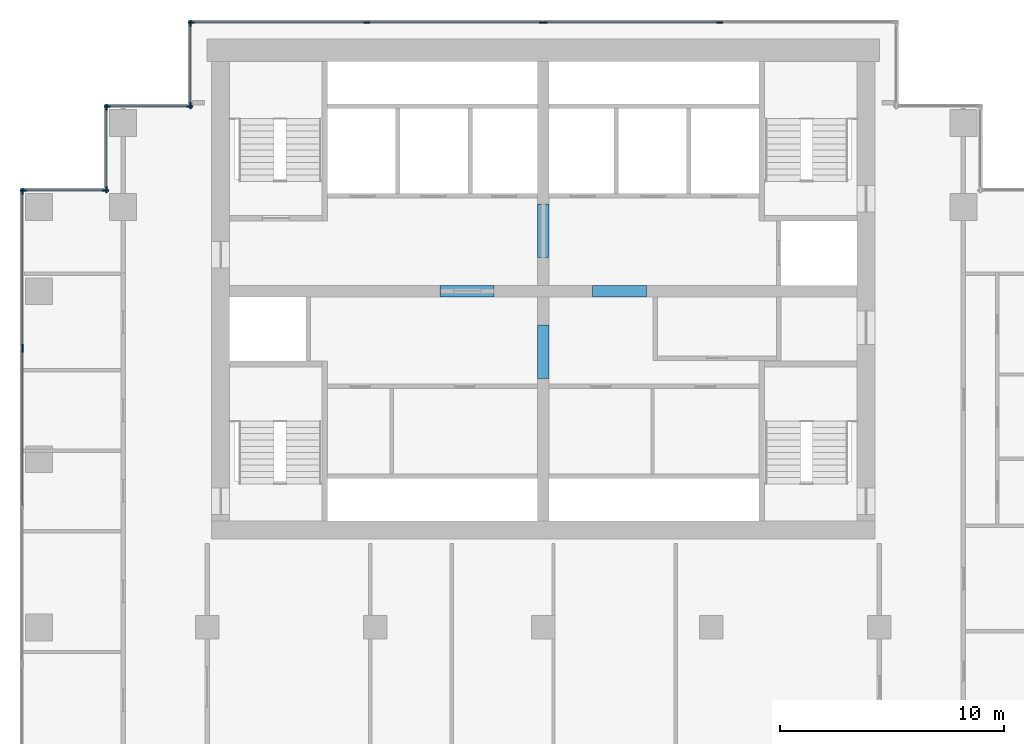
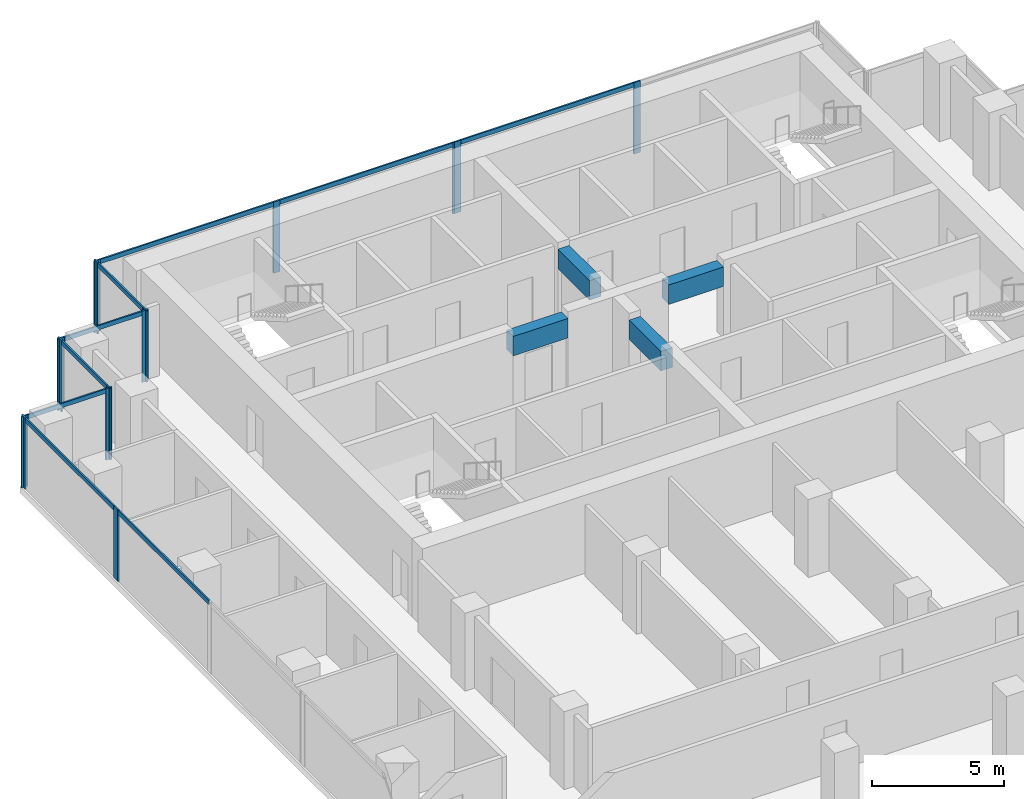
# One storey, part 4 of 10: 25 members, 4 beams, 8 elements without a shape of their own.
"""IFC4 building model written with IfcOpenShell, lengths in metres."""

from ifc_helpers import new_model, si_unit, direction, frame, origin, origin_2d, place, context, subcontext, project, spatial, rectangle, extrude, material, material_profile, profile_set, type_object, element, aggregate, save


model = new_model("IFC4")

# Units and contexts
model_context = context("Model", 3, precision=1e-05, world=origin(), true_north=direction((0.0, 1.0)))
body_context = subcontext(model_context, "Body", "Model", "MODEL_VIEW")
ifc_project = project(units=[si_unit("LENGTHUNIT", "METRE"), si_unit("AREAUNIT", "SQUARE_METRE"), si_unit("VOLUMEUNIT", "CUBIC_METRE"), si_unit("PLANEANGLEUNIT", "RADIAN"), si_unit("MASSUNIT", "GRAM", prefix="KILO")], contexts=[model_context])

# Site, building, storey
site_placement = place(None, origin())
site = spatial("IfcSite", under=ifc_project, at=site_placement, CompositionType="ELEMENT")
building_placement = place(site_placement, origin())
building = spatial("IfcBuilding", under=site, at=building_placement, Name="Pilkhan Gate Tower", CompositionType="ELEMENT")
storey_placement = place(building_placement, frame((0.0, 0.0, 176.5)))
storey = spatial("IfcBuildingStorey", under=building, at=storey_placement, Name="L45", CompositionType="ELEMENT", Elevation=176.5)

# Beams
ifc_material_1 = material(Name="Concrete C60/75", Category="concrete")
ifc_material_profile_1 = material_profile(ifc_material_1, rectangle(XDim=0.5, YDim=0.89990234375, at=origin_2d()), Name="RC 500x900")
ifc_profile_set_1 = profile_set([ifc_material_profile_1], Name="Concrete C60/75")
beam_type = type_object("IfcBeamType", Name="Coupling beam CB90 RC 500x900 C60/75", PredefinedType="LINTEL", material=ifc_profile_set_1)
for number, where, z_axis, x_axis, name in (
    (1, (70.39990234375, 82.5, 2.85009765625), (1.0, 0.0, 0.0), (0.0, 1.0, 0.0), "Coupling beam 1 L45"),
    (2, (77.199951171875, 82.5, 2.85009765625), (1.0, 0.0, 0.0), (0.0, 1.0, 0.0), "Coupling beam 2 L45"),
):
    element("IfcBeam", number, at=place(storey_placement, frame(where, z_axis=z_axis, x_axis=x_axis)), inside=storey, type_object=beam_type, Name=name, PredefinedType="LINTEL", context=body_context, shape_type="SweptSolid", body=[
        extrude(rectangle(XDim=0.5, YDim=0.89990234375, at=origin_2d()), origin(), (0.0, 0.0, 1.0), 2.400146484375),
    ])
for number, where, z_axis, x_axis, name in (
    (3, (75.0, 78.60009765625, 2.85009765625), (0.0, 1.0, 0.0), (-1.0, 0.0, 0.0), "Coupling beam 3 L45"),
    (4, (75.0, 84.0, 2.85009765625), (0.0, 1.0, 0.0), (-1.0, 0.0, 0.0), "Coupling beam 4 L45"),
):
    element("IfcBeam", number, at=place(storey_placement, frame(where, z_axis=z_axis, x_axis=x_axis)), inside=storey, type_object=beam_type, Name=name, PredefinedType="LINTEL", context=body_context, shape_type="SweptSolid", body=[
        extrude(rectangle(XDim=0.5, YDim=0.89990234375, at=origin_2d()), origin(), (0.0, 0.0, 1.0), 2.39990234375),
    ])

# Curtain wall, members
ifc_material_2 = material(Name="Pale anodised aluminium, clear low-iron double glazing", Category="aluminium")
curtain_wall_type = type_object("IfcCurtainWallType", Name="Office unitised curtain wall CW-O1", PredefinedType="USERDEFINED", material=ifc_material_2)
curtain_wall_1_placement = place(storey_placement, origin())
curtain_wall_1 = element("IfcCurtainWall", 5, at=curtain_wall_1_placement, inside=storey, type_object=curtain_wall_type, Name="Office unitised curtain wall CW-O1 L45 N", ObjectType="UNITISED CURTAIN WALL", PredefinedType="USERDEFINED")
ifc_material_3 = material(Name="Pale anodised aluminium", Category="aluminium")
ifc_material_profile_2 = material_profile(ifc_material_3, rectangle(XDim=0.070068359375, YDim=0.27490234375, at=origin_2d()), Name="Mullion 275x70")
ifc_profile_set_2 = profile_set([ifc_material_profile_2], Name="Pale anodised aluminium")
member_type_1 = type_object("IfcMemberType", Name="Mullion CW-O1 275x70", PredefinedType="MULLION", material=ifc_profile_set_2)
member_1_placement = place(storey_placement, frame((59.284912109375, 94.5, 0.0), z_axis=(0.0, 0.0, 1.0), x_axis=(0.0, 1.0, 0.0)))
member_1 = element("IfcMember", 6, at=member_1_placement, type_object=member_type_1, Name="CW-O1 mullion 1", PredefinedType="MULLION", context=body_context, shape_type="SweptSolid", body=[
    extrude(rectangle(XDim=0.070068359375, YDim=0.27490234375, at=origin_2d()), origin(), (0.0, 0.0, 1.0), 3.300048828125),
])
member_2_placement = place(storey_placement, frame((67.125, 94.5, 0.0), z_axis=(0.0, 0.0, 1.0), x_axis=(0.0, 1.0, 0.0)))
member_2 = element("IfcMember", 7, at=member_2_placement, type_object=member_type_1, Name="CW-O1 mullion 2", PredefinedType="MULLION", context=body_context, shape_type="SweptSolid", body=[
    extrude(rectangle(XDim=0.070068359375, YDim=0.27490234375, at=origin_2d()), origin(), (0.0, 0.0, 1.0), 3.300048828125),
])
member_3_placement = place(storey_placement, frame((74.965087890625, 94.5, 0.0), z_axis=(0.0, 0.0, 1.0), x_axis=(0.0, 1.0, 0.0)))
member_3 = element("IfcMember", 8, at=member_3_placement, type_object=member_type_1, Name="CW-O1 mullion 3", PredefinedType="MULLION", context=body_context, shape_type="SweptSolid", body=[
    extrude(rectangle(XDim=0.070068359375, YDim=0.27490234375, at=origin_2d()), origin(), (0.0, 0.0, 1.0), 3.300048828125),
])

curtain_wall_2_placement = place(storey_placement, origin())
curtain_wall_2 = element("IfcCurtainWall", 9, at=curtain_wall_2_placement, inside=storey, type_object=curtain_wall_type, Name="Office unitised curtain wall CW-O1 L45 N", ObjectType="UNITISED CURTAIN WALL", PredefinedType="USERDEFINED")
member_4_placement = place(storey_placement, frame((75.034912109375, 94.5, 0.0), z_axis=(0.0, 0.0, 1.0), x_axis=(0.0, 1.0, 0.0)))
member_4 = element("IfcMember", 10, at=member_4_placement, type_object=member_type_1, Name="CW-O1 mullion 1", PredefinedType="MULLION", context=body_context, shape_type="SweptSolid", body=[
    extrude(rectangle(XDim=0.070068359375, YDim=0.27490234375, at=origin_2d()), origin(), (0.0, 0.0, 1.0), 3.300048828125),
])
member_5_placement = place(storey_placement, frame((82.875, 94.5, 0.0), z_axis=(0.0, 0.0, 1.0), x_axis=(0.0, 1.0, 0.0)))
member_5 = element("IfcMember", 11, at=member_5_placement, type_object=member_type_1, Name="CW-O1 mullion 2", PredefinedType="MULLION", context=body_context, shape_type="SweptSolid", body=[
    extrude(rectangle(XDim=0.070068359375, YDim=0.27490234375, at=origin_2d()), origin(), (0.0, 0.0, 1.0), 3.300048828125),
])

curtain_wall_3_placement = place(storey_placement, origin())
curtain_wall_3 = element("IfcCurtainWall", 12, at=curtain_wall_3_placement, inside=storey, type_object=curtain_wall_type, Name="Office unitised curtain wall CW-O1 L45 W", ObjectType="UNITISED CURTAIN WALL", PredefinedType="USERDEFINED")
member_6_placement = place(storey_placement, frame((59.25, 90.784912109375, 0.0), z_axis=(0.0, 0.0, 1.0), x_axis=(-1.0, 0.0, 0.0)))
member_6 = element("IfcMember", 13, at=member_6_placement, type_object=member_type_1, Name="CW-O1 mullion 1", PredefinedType="MULLION", context=body_context, shape_type="SweptSolid", body=[
    extrude(rectangle(XDim=0.070068359375, YDim=0.27490234375, at=origin_2d()), origin(), (0.0, 0.0, 1.0), 3.300048828125),
])
member_7_placement = place(storey_placement, frame((59.25, 94.465087890625, 0.0), z_axis=(0.0, 0.0, 1.0), x_axis=(-1.0, 0.0, 0.0)))
member_7 = element("IfcMember", 14, at=member_7_placement, type_object=member_type_1, Name="CW-O1 mullion 2", PredefinedType="MULLION", context=body_context, shape_type="SweptSolid", body=[
    extrude(rectangle(XDim=0.070068359375, YDim=0.27490234375, at=origin_2d()), origin(), (0.0, 0.0, 1.0), 3.300048828125),
])

curtain_wall_4_placement = place(storey_placement, origin())
curtain_wall_4 = element("IfcCurtainWall", 15, at=curtain_wall_4_placement, inside=storey, type_object=curtain_wall_type, Name="Office unitised curtain wall CW-O1 L45 N", ObjectType="UNITISED CURTAIN WALL", PredefinedType="USERDEFINED")
member_8_placement = place(storey_placement, frame((55.534912109375, 90.75, 0.0), z_axis=(0.0, 0.0, 1.0), x_axis=(0.0, 1.0, 0.0)))
member_8 = element("IfcMember", 16, at=member_8_placement, type_object=member_type_1, Name="CW-O1 mullion 1", PredefinedType="MULLION", context=body_context, shape_type="SweptSolid", body=[
    extrude(rectangle(XDim=0.070068359375, YDim=0.27490234375, at=origin_2d()), origin(), (0.0, 0.0, 1.0), 3.300048828125),
])
member_9_placement = place(storey_placement, frame((59.215087890625, 90.75, 0.0), z_axis=(0.0, 0.0, 1.0), x_axis=(0.0, 1.0, 0.0)))
member_9 = element("IfcMember", 17, at=member_9_placement, type_object=member_type_1, Name="CW-O1 mullion 2", PredefinedType="MULLION", context=body_context, shape_type="SweptSolid", body=[
    extrude(rectangle(XDim=0.070068359375, YDim=0.27490234375, at=origin_2d()), origin(), (0.0, 0.0, 1.0), 3.300048828125),
])

curtain_wall_5_placement = place(storey_placement, origin())
curtain_wall_5 = element("IfcCurtainWall", 18, at=curtain_wall_5_placement, inside=storey, type_object=curtain_wall_type, Name="Office unitised curtain wall CW-O1 L45 W", ObjectType="UNITISED CURTAIN WALL", PredefinedType="USERDEFINED")
member_10_placement = place(storey_placement, frame((55.5, 87.034912109375, 0.0), z_axis=(0.0, 0.0, 1.0), x_axis=(-1.0, 0.0, 0.0)))
member_10 = element("IfcMember", 19, at=member_10_placement, type_object=member_type_1, Name="CW-O1 mullion 1", PredefinedType="MULLION", context=body_context, shape_type="SweptSolid", body=[
    extrude(rectangle(XDim=0.070068359375, YDim=0.27490234375, at=origin_2d()), origin(), (0.0, 0.0, 1.0), 3.300048828125),
])
member_11_placement = place(storey_placement, frame((55.5, 90.715087890625, 0.0), z_axis=(0.0, 0.0, 1.0), x_axis=(-1.0, 0.0, 0.0)))
member_11 = element("IfcMember", 20, at=member_11_placement, type_object=member_type_1, Name="CW-O1 mullion 2", PredefinedType="MULLION", context=body_context, shape_type="SweptSolid", body=[
    extrude(rectangle(XDim=0.070068359375, YDim=0.27490234375, at=origin_2d()), origin(), (0.0, 0.0, 1.0), 3.300048828125),
])

curtain_wall_6_placement = place(storey_placement, origin())
curtain_wall_6 = element("IfcCurtainWall", 21, at=curtain_wall_6_placement, inside=storey, type_object=curtain_wall_type, Name="Office unitised curtain wall CW-O1 L45 N", ObjectType="UNITISED CURTAIN WALL", PredefinedType="USERDEFINED")
member_12_placement = place(storey_placement, frame((51.784912109375, 87.0, 0.0), z_axis=(0.0, 0.0, 1.0), x_axis=(0.0, 1.0, 0.0)))
member_12 = element("IfcMember", 22, at=member_12_placement, type_object=member_type_1, Name="CW-O1 mullion 1", PredefinedType="MULLION", context=body_context, shape_type="SweptSolid", body=[
    extrude(rectangle(XDim=0.070068359375, YDim=0.27490234375, at=origin_2d()), origin(), (0.0, 0.0, 1.0), 3.300048828125),
])
member_13_placement = place(storey_placement, frame((55.465087890625, 87.0, 0.0), z_axis=(0.0, 0.0, 1.0), x_axis=(0.0, 1.0, 0.0)))
member_13 = element("IfcMember", 23, at=member_13_placement, type_object=member_type_1, Name="CW-O1 mullion 2", PredefinedType="MULLION", context=body_context, shape_type="SweptSolid", body=[
    extrude(rectangle(XDim=0.070068359375, YDim=0.27490234375, at=origin_2d()), origin(), (0.0, 0.0, 1.0), 3.300048828125),
])

# Curtain wall, member
curtain_wall_7_placement = place(storey_placement, origin())
curtain_wall_7 = element("IfcCurtainWall", 24, at=curtain_wall_7_placement, inside=storey, type_object=curtain_wall_type, Name="Office unitised curtain wall CW-O1 L45 W", ObjectType="UNITISED CURTAIN WALL", PredefinedType="USERDEFINED")
member_14_placement = place(storey_placement, frame((51.75, 79.9150390625, 0.0), z_axis=(0.0, 0.0, 1.0), x_axis=(-1.0, 0.0, 0.0)))
member_14 = element("IfcMember", 25, at=member_14_placement, type_object=member_type_1, Name="CW-O1 mullion 3", PredefinedType="MULLION", context=body_context, shape_type="SweptSolid", body=[
    extrude(rectangle(XDim=0.070068359375, YDim=0.27490234375, at=origin_2d()), origin(), (0.0, 0.0, 1.0), 3.300048828125),
])

# Curtain wall, members
curtain_wall_8_placement = place(storey_placement, origin())
curtain_wall_8 = element("IfcCurtainWall", 26, at=curtain_wall_8_placement, inside=storey, type_object=curtain_wall_type, Name="Office unitised curtain wall CW-O1 L45 W", ObjectType="UNITISED CURTAIN WALL", PredefinedType="USERDEFINED")
member_15_placement = place(storey_placement, frame((51.75, 79.985107421875, 0.0), z_axis=(0.0, 0.0, 1.0), x_axis=(-1.0, 0.0, 0.0)))
member_15 = element("IfcMember", 27, at=member_15_placement, type_object=member_type_1, Name="CW-O1 mullion 1", PredefinedType="MULLION", context=body_context, shape_type="SweptSolid", body=[
    extrude(rectangle(XDim=0.070068359375, YDim=0.27490234375, at=origin_2d()), origin(), (0.0, 0.0, 1.0), 3.300048828125),
])
member_16_placement = place(storey_placement, frame((51.75, 86.965087890625, 0.0), z_axis=(0.0, 0.0, 1.0), x_axis=(-1.0, 0.0, 0.0)))
member_16 = element("IfcMember", 28, at=member_16_placement, type_object=member_type_1, Name="CW-O1 mullion 2", PredefinedType="MULLION", context=body_context, shape_type="SweptSolid", body=[
    extrude(rectangle(XDim=0.070068359375, YDim=0.27490234375, at=origin_2d()), origin(), (0.0, 0.0, 1.0), 3.300048828125),
])

# Member
ifc_material_profile_3 = material_profile(ifc_material_3, rectangle(XDim=0.070068359375, YDim=0.199951171875, at=origin_2d()), Name="Transom 200x70")
ifc_profile_set_3 = profile_set([ifc_material_profile_3], Name="Pale anodised aluminium")
member_type_2 = type_object("IfcMemberType", Name="Transom CW-O1 200x70", PredefinedType="USERDEFINED", material=ifc_profile_set_3)
member_17_placement = place(storey_placement, frame((59.320068359375, 94.5, 3.199951171875), z_axis=(1.0, 0.0, 0.0), x_axis=(0.0, 1.0, 0.0)))
member_17 = element("IfcMember", 29, at=member_17_placement, type_object=member_type_2, Name="CW-O1 transom 1", ObjectType="TRANSOM", PredefinedType="USERDEFINED", context=body_context, shape_type="SweptSolid", body=[
    extrude(rectangle(XDim=0.070068359375, YDim=0.199951171875, at=origin_2d()), origin(), (0.0, 0.0, 1.0), 7.77001953125),
])

member_18_placement = place(storey_placement, frame((67.159912109375, 94.5, 3.199951171875), z_axis=(1.0, 0.0, 0.0), x_axis=(0.0, 1.0, 0.0)))
member_18 = element("IfcMember", 30, at=member_18_placement, type_object=member_type_2, Name="CW-O1 transom 2", ObjectType="TRANSOM", PredefinedType="USERDEFINED", context=body_context, shape_type="SweptSolid", body=[
    extrude(rectangle(XDim=0.070068359375, YDim=0.199951171875, at=origin_2d()), origin(), (0.0, 0.0, 1.0), 7.77001953125),
])

aggregate(curtain_wall_1, [member_1, member_2, member_3, member_17, member_18])

member_19_placement = place(storey_placement, frame((75.070068359375, 94.5, 3.199951171875), z_axis=(1.0, 0.0, 0.0), x_axis=(0.0, 1.0, 0.0)))
member_19 = element("IfcMember", 31, at=member_19_placement, type_object=member_type_2, Name="CW-O1 transom 1", ObjectType="TRANSOM", PredefinedType="USERDEFINED", context=body_context, shape_type="SweptSolid", body=[
    extrude(rectangle(XDim=0.070068359375, YDim=0.199951171875, at=origin_2d()), origin(), (0.0, 0.0, 1.0), 7.77001953125),
])

aggregate(curtain_wall_2, [member_4, member_5, member_19])

member_20_placement = place(storey_placement, frame((59.25, 90.820068359375, 3.199951171875), z_axis=(0.0, 1.0, 0.0), x_axis=(-1.0, 0.0, 0.0)))
member_20 = element("IfcMember", 32, at=member_20_placement, type_object=member_type_2, Name="CW-O1 transom 1", ObjectType="TRANSOM", PredefinedType="USERDEFINED", context=body_context, shape_type="SweptSolid", body=[
    extrude(rectangle(XDim=0.070068359375, YDim=0.199951171875, at=origin_2d()), origin(), (0.0, 0.0, 1.0), 3.60986328125),
])

aggregate(curtain_wall_3, [member_6, member_7, member_20])

member_21_placement = place(storey_placement, frame((55.570068359375, 90.75, 3.199951171875), z_axis=(1.0, 0.0, 0.0), x_axis=(0.0, 1.0, 0.0)))
member_21 = element("IfcMember", 33, at=member_21_placement, type_object=member_type_2, Name="CW-O1 transom 1", ObjectType="TRANSOM", PredefinedType="USERDEFINED", context=body_context, shape_type="SweptSolid", body=[
    extrude(rectangle(XDim=0.070068359375, YDim=0.199951171875, at=origin_2d()), origin(), (0.0, 0.0, 1.0), 3.60986328125),
])

aggregate(curtain_wall_4, [member_8, member_9, member_21])

member_22_placement = place(storey_placement, frame((55.5, 87.070068359375, 3.199951171875), z_axis=(0.0, 1.0, 0.0), x_axis=(-1.0, 0.0, 0.0)))
member_22 = element("IfcMember", 34, at=member_22_placement, type_object=member_type_2, Name="CW-O1 transom 1", ObjectType="TRANSOM", PredefinedType="USERDEFINED", context=body_context, shape_type="SweptSolid", body=[
    extrude(rectangle(XDim=0.070068359375, YDim=0.199951171875, at=origin_2d()), origin(), (0.0, 0.0, 1.0), 3.60986328125),
])

aggregate(curtain_wall_5, [member_10, member_11, member_22])

member_23_placement = place(storey_placement, frame((51.820068359375, 87.0, 3.199951171875), z_axis=(1.0, 0.0, 0.0), x_axis=(0.0, 1.0, 0.0)))
member_23 = element("IfcMember", 35, at=member_23_placement, type_object=member_type_2, Name="CW-O1 transom 1", ObjectType="TRANSOM", PredefinedType="USERDEFINED", context=body_context, shape_type="SweptSolid", body=[
    extrude(rectangle(XDim=0.070068359375, YDim=0.199951171875, at=origin_2d()), origin(), (0.0, 0.0, 1.0), 3.60986328125),
])

aggregate(curtain_wall_6, [member_12, member_13, member_23])

member_24_placement = place(storey_placement, frame((51.75, 72.93505859375, 3.199951171875), z_axis=(0.0, 1.0, 0.0), x_axis=(-1.0, 0.0, 0.0)))
member_24 = element("IfcMember", 36, at=member_24_placement, type_object=member_type_2, Name="CW-O1 transom 2", ObjectType="TRANSOM", PredefinedType="USERDEFINED", context=body_context, shape_type="SweptSolid", body=[
    extrude(rectangle(XDim=0.070068359375, YDim=0.199951171875, at=origin_2d()), origin(), (0.0, 0.0, 1.0), 6.94482421875),
])

aggregate(curtain_wall_7, [member_14, member_24])

member_25_placement = place(storey_placement, frame((51.75, 80.02001953125, 3.199951171875), z_axis=(0.0, 1.0, 0.0), x_axis=(-1.0, 0.0, 0.0)))
member_25 = element("IfcMember", 37, at=member_25_placement, type_object=member_type_2, Name="CW-O1 transom 1", ObjectType="TRANSOM", PredefinedType="USERDEFINED", context=body_context, shape_type="SweptSolid", body=[
    extrude(rectangle(XDim=0.070068359375, YDim=0.199951171875, at=origin_2d()), origin(), (0.0, 0.0, 1.0), 6.909912109375),
])

aggregate(curtain_wall_8, [member_15, member_16, member_25])

save(model, "model.ifc")
